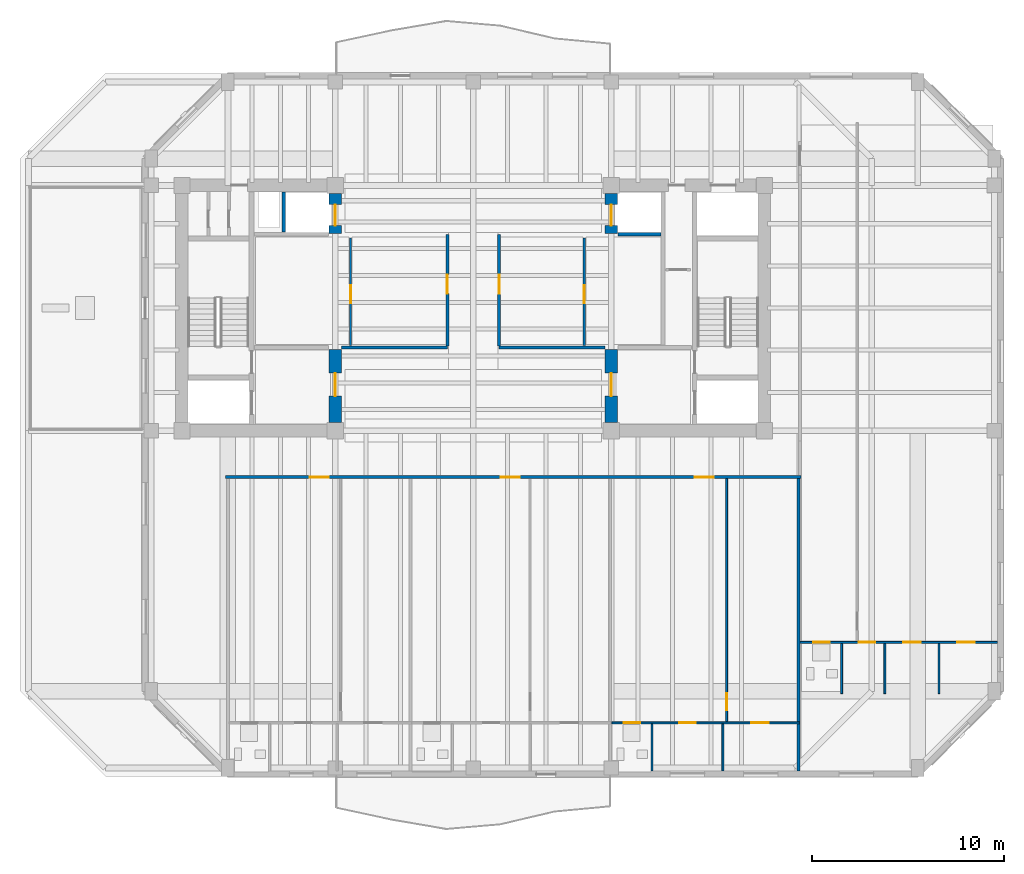
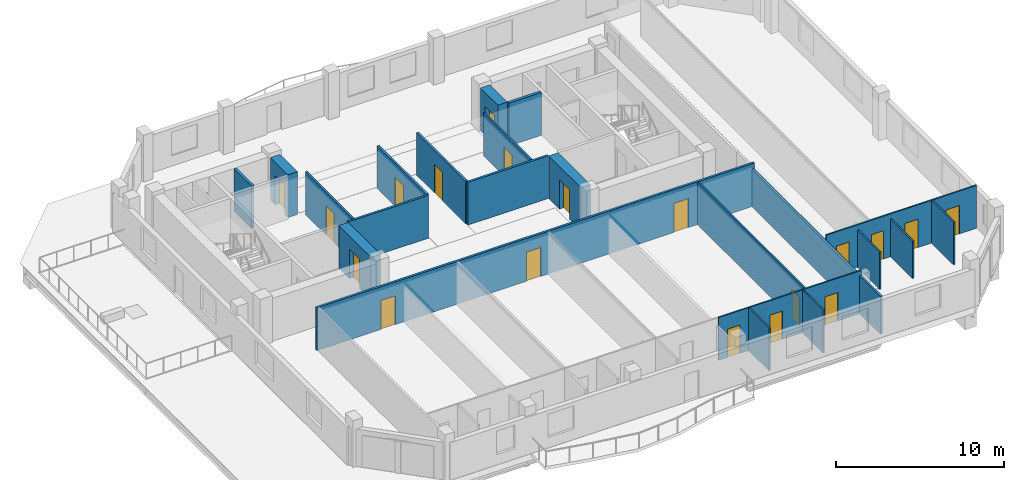
# One storey, part 4 of 11: 22 walls, 19 doors, 19 openings.
"""IFC4 building model written with IfcOpenShell, lengths in metres."""

from ifc_helpers import new_model, si_unit, direction, frame, frame_2d, origin, place, context, subcontext, project, spatial, rectangle, extrude, material, layer, layer_set, type_object, element, fill, save


model = new_model("IFC4")

# Units and contexts
model_context = context("Model", 3, precision=1e-05, world=origin(), true_north=direction((0.0, 1.0)))
body_context = subcontext(model_context, "Body", "Model", "MODEL_VIEW")
ifc_project = project(units=[si_unit("LENGTHUNIT", "METRE"), si_unit("AREAUNIT", "SQUARE_METRE"), si_unit("VOLUMEUNIT", "CUBIC_METRE"), si_unit("PLANEANGLEUNIT", "RADIAN"), si_unit("MASSUNIT", "GRAM", prefix="KILO")], contexts=[model_context])

# Site, building, storey
site_placement = place(None, origin())
site = spatial("IfcSite", under=ifc_project, at=site_placement, CompositionType="ELEMENT")
building_placement = place(site_placement, origin())
building = spatial("IfcBuilding", under=site, at=building_placement, Name="Kranthara Brick Stack", CompositionType="ELEMENT")
storey_placement = place(building_placement, frame((0.0, 0.0, 227.89990234375)))
storey = spatial("IfcBuildingStorey", under=building, at=storey_placement, Name="L59", CompositionType="ELEMENT", Elevation=227.89990234375)

# Wall, opening, door
ifc_material_1 = material(Name="Concrete C60/75", Category="concrete")
ifc_layer_1 = layer(ifc_material_1, 0.64990234375)
ifc_layer_set_1 = layer_set([ifc_layer_1], Name="Concrete C60/75")
wall_type_1 = type_object("IfcWallType", Name="WL-CORE-650", PredefinedType="SHEAR", material=ifc_layer_set_1)
wall_1_placement = place(storey_placement, frame((20.800048828125, 21.22998046875, 0.0), z_axis=(0.0, 0.0, 1.0), x_axis=(0.0, 1.0, 0.0)))
wall_1 = element("IfcWall", 1, at=wall_1_placement, inside=storey, type_object=wall_type_1, Name="L59 West Core Lobby Shear Wall", PredefinedType="SHEAR", context=body_context, shape_type="SweptSolid", body=[
    extrude(rectangle(XDim=3.820068359375, YDim=0.64990234375, at=frame_2d((1.91015625, 0.0))), origin(), (0.0, 0.0, 1.0), 3.10009765625),
])
opening_1_placement = place(wall_1_placement, frame((1.3701171875, 0.0, 0.0)))
opening_1 = element("IfcOpeningElement", 2, at=opening_1_placement, cuts=wall_1, Name="Opening D06", PredefinedType="OPENING", context=body_context, shape_type="SweptSolid", body=[
    extrude(rectangle(XDim=1.199951171875, YDim=2.14990234375, at=frame_2d((0.60009765625, 1.074951171875))), frame((0.0, 0.3349609375, 0.0), z_axis=(0.0, -1.0, 0.0), x_axis=(1.0, 0.0, 0.0)), (0.0, 0.0, 1.0), 0.669921875),
])
ifc_material_2 = material(Name="Solid-core hardwood timber leaf in steel frame", Category="steel")
door_type_1 = type_object("IfcDoorType", Name="DR-FFL-1200", OperationType="NOTDEFINED", PredefinedType="DOOR", material=ifc_material_2)
door_1_placement = place(opening_1_placement, origin())
door_1 = element("IfcDoor", 3, at=door_1_placement, inside=storey, type_object=door_type_1, Name="L59 West Firefighting Lobby Door", OperationType="SINGLE_SWING_LEFT", OverallHeight=2.14990234375, OverallWidth=1.199951171875, PredefinedType="DOOR", context=body_context, shape_type="SweptSolid", body=[
    extrude(rectangle(XDim=1.199951171875, YDim=2.14990234375, at=frame_2d((0.60009765625, 1.074951171875))), frame((0.0, 0.02490234375, 0.0), z_axis=(0.0, -1.0, 0.0), x_axis=(1.0, 0.0, 0.0)), (0.0, 0.0, 1.0), 0.050048828125),
])
fill(opening_1, door_1)

wall_2_placement = place(storey_placement, frame((20.800048828125, 31.10009765625, 0.0), z_axis=(0.0, 0.0, 1.0), x_axis=(0.0, 1.0, 0.0)))
wall_2 = element("IfcWall", 4, at=wall_2_placement, inside=storey, type_object=wall_type_1, Name="L59 West Core High-Rise Lift Wall", PredefinedType="SHEAR", context=body_context, shape_type="SweptSolid", body=[
    extrude(rectangle(XDim=2.06982421875, YDim=0.64990234375, at=frame_2d((1.034912109375, 0.0))), origin(), (0.0, 0.0, 1.0), 3.10009765625),
])
opening_2_placement = place(wall_2_placement, frame((0.39990234375, 0.0, 0.0)))
opening_2 = element("IfcOpeningElement", 5, at=opening_2_placement, cuts=wall_2, Name="Opening LD02", PredefinedType="OPENING", context=body_context, shape_type="SweptSolid", body=[
    extrude(rectangle(XDim=1.10009765625, YDim=2.10009765625, at=frame_2d((0.550048828125, 1.050048828125))), frame((0.0, 0.3349609375, 0.0), z_axis=(0.0, -1.0, 0.0), x_axis=(1.0, 0.0, 0.0)), (0.0, 0.0, 1.0), 0.669921875),
])
ifc_material_3 = material(Name="Stainless steel sliding landing door", Category="steel")
door_type_2 = type_object("IfcDoorType", Name="DR-LD-PL1100", OperationType="DOUBLE_DOOR_SLIDING", PredefinedType="DOOR", material=ifc_material_3)
door_2_placement = place(opening_2_placement, origin())
door_2 = element("IfcDoor", 6, at=door_2_placement, inside=storey, type_object=door_type_2, Name="L59 PL-07 Lift Landing Door", OperationType="DOUBLE_DOOR_SLIDING", OverallHeight=2.10009765625, OverallWidth=1.10009765625, PredefinedType="DOOR", context=body_context, shape_type="SweptSolid", body=[
    extrude(rectangle(XDim=1.10009765625, YDim=2.10009765625, at=frame_2d((0.550048828125, 1.050048828125))), frame((0.0, 0.02490234375, 0.0), z_axis=(0.0, -1.0, 0.0), x_axis=(1.0, 0.0, 0.0)), (0.0, 0.0, 1.0), 0.050048828125),
])
fill(opening_2, door_2)

wall_3_placement = place(storey_placement, frame((35.199951171875, 21.22998046875, 0.0), z_axis=(0.0, 0.0, 1.0), x_axis=(0.0, 1.0, 0.0)))
wall_3 = element("IfcWall", 7, at=wall_3_placement, inside=storey, type_object=wall_type_1, Name="L59 East Core Lobby Shear Wall", PredefinedType="SHEAR", context=body_context, shape_type="SweptSolid", body=[
    extrude(rectangle(XDim=3.820068359375, YDim=0.64990234375, at=frame_2d((1.91015625, 0.0))), origin(), (0.0, 0.0, 1.0), 3.10009765625),
])
opening_3_placement = place(wall_3_placement, frame((1.3701171875, 0.0, 0.0)))
opening_3 = element("IfcOpeningElement", 8, at=opening_3_placement, cuts=wall_3, Name="Opening D06", PredefinedType="OPENING", context=body_context, shape_type="SweptSolid", body=[
    extrude(rectangle(XDim=1.199951171875, YDim=2.14990234375, at=frame_2d((0.60009765625, 1.074951171875))), frame((0.0, 0.3349609375, 0.0), z_axis=(0.0, -1.0, 0.0), x_axis=(1.0, 0.0, 0.0)), (0.0, 0.0, 1.0), 0.669921875),
])
door_3_placement = place(opening_3_placement, origin())
door_3 = element("IfcDoor", 9, at=door_3_placement, inside=storey, type_object=door_type_1, Name="L59 East Firefighting Lobby Door", OperationType="SINGLE_SWING_RIGHT", OverallHeight=2.14990234375, OverallWidth=1.199951171875, PredefinedType="DOOR", context=body_context, shape_type="SweptSolid", body=[
    extrude(rectangle(XDim=1.199951171875, YDim=2.14990234375, at=frame_2d((0.60009765625, 1.074951171875))), frame((0.0, 0.02490234375, 0.0), z_axis=(0.0, -1.0, 0.0), x_axis=(1.0, 0.0, 0.0)), (0.0, 0.0, 1.0), 0.050048828125),
])
fill(opening_3, door_3)

wall_4_placement = place(storey_placement, frame((35.199951171875, 31.10009765625, 0.0), z_axis=(0.0, 0.0, 1.0), x_axis=(0.0, 1.0, 0.0)))
wall_4 = element("IfcWall", 10, at=wall_4_placement, inside=storey, type_object=wall_type_1, Name="L59 East Core High-Rise Lift Wall", PredefinedType="SHEAR", context=body_context, shape_type="SweptSolid", body=[
    extrude(rectangle(XDim=2.06982421875, YDim=0.64990234375, at=frame_2d((1.034912109375, 0.0))), origin(), (0.0, 0.0, 1.0), 3.10009765625),
])
opening_4_placement = place(wall_4_placement, frame((0.39990234375, 0.0, 0.0)))
opening_4 = element("IfcOpeningElement", 11, at=opening_4_placement, cuts=wall_4, Name="Opening LD02", PredefinedType="OPENING", context=body_context, shape_type="SweptSolid", body=[
    extrude(rectangle(XDim=1.10009765625, YDim=2.10009765625, at=frame_2d((0.550048828125, 1.050048828125))), frame((0.0, 0.3349609375, 0.0), z_axis=(0.0, -1.0, 0.0), x_axis=(1.0, 0.0, 0.0)), (0.0, 0.0, 1.0), 0.669921875),
])
door_4_placement = place(opening_4_placement, origin())
door_4 = element("IfcDoor", 12, at=door_4_placement, inside=storey, type_object=door_type_2, Name="L59 PL-08 Lift Landing Door", OperationType="DOUBLE_DOOR_SLIDING", OverallHeight=2.10009765625, OverallWidth=1.10009765625, PredefinedType="DOOR", context=body_context, shape_type="SweptSolid", body=[
    extrude(rectangle(XDim=1.10009765625, YDim=2.10009765625, at=frame_2d((0.550048828125, 1.050048828125))), frame((0.0, 0.02490234375, 0.0), z_axis=(0.0, -1.0, 0.0), x_axis=(1.0, 0.0, 0.0)), (0.0, 0.0, 1.0), 0.050048828125),
])
fill(opening_4, door_4)

# Wall, openings, doors
ifc_material_4 = material(Name="Moisture-resistant wet-room partition", Category="other")
ifc_layer_2 = layer(ifc_material_4, 0.10009765625)
ifc_layer_set_2 = layer_set([ifc_layer_2], Name="Moisture-resistant wet-room partition")
wall_type_2 = type_object("IfcWallType", Name="WL-PART-100", PredefinedType="PARTITIONING", material=ifc_layer_set_2)
wall_5_placement = place(storey_placement, frame((35.23291015625, 5.550048828125, 0.0), z_axis=(0.0, 0.0, 1.0), x_axis=(1.0, 0.0, 0.0)))
wall_5 = element("IfcWall", 13, at=wall_5_placement, inside=storey, type_object=wall_type_2, Name="L59 Interior Partition 022", PredefinedType="PARTITIONING", context=body_context, shape_type="SweptSolid", body=[
    extrude(rectangle(XDim=9.787109375, YDim=0.10009765625, at=frame_2d((4.8935546875, 0.0))), origin(), (0.0, 0.0, 1.0), 3.10009765625),
])
opening_5_placement = place(wall_5_placement, frame((0.625, 0.0, 0.0)))
opening_5 = element("IfcOpeningElement", 14, at=opening_5_placement, cuts=wall_5, Name="Opening D17", PredefinedType="OPENING", context=body_context, shape_type="SweptSolid", body=[
    extrude(rectangle(XDim=0.85009765625, YDim=2.050048828125, at=frame_2d((0.425048828125, 1.02490234375))), frame((0.0, 0.06005859375, 0.0), z_axis=(0.0, -1.0, 0.0), x_axis=(1.0, 0.0, 0.0)), (0.0, 0.0, 1.0), 0.1201171875),
])
opening_6_placement = place(wall_5_placement, frame((3.52490234375, 0.0, 0.0)))
opening_6 = element("IfcOpeningElement", 15, at=opening_6_placement, cuts=wall_5, Name="Opening D16", PredefinedType="OPENING", context=body_context, shape_type="SweptSolid", body=[
    extrude(rectangle(XDim=0.85009765625, YDim=2.050048828125, at=frame_2d((0.425048828125, 1.02490234375))), frame((0.0, 0.06005859375, 0.0), z_axis=(0.0, -1.0, 0.0), x_axis=(1.0, 0.0, 0.0)), (0.0, 0.0, 1.0), 0.1201171875),
])
opening_7_placement = place(wall_5_placement, frame((7.283935546875, 0.0, 0.0)))
opening_7 = element("IfcOpeningElement", 16, at=opening_7_placement, cuts=wall_5, Name="Opening D15", PredefinedType="OPENING", context=body_context, shape_type="SweptSolid", body=[
    extrude(rectangle(XDim=0.89990234375, YDim=2.050048828125, at=frame_2d((0.449951171875, 1.02490234375))), frame((0.0, 0.06005859375, 0.0), z_axis=(0.0, -1.0, 0.0), x_axis=(1.0, 0.0, 0.0)), (0.0, 0.0, 1.0), 0.1201171875),
])
ifc_material_5 = material(Name="Solid-core hardwood timber leaf in steel frame", Category="steel")
door_type_3 = type_object("IfcDoorType", Name="DR-INT-850", OperationType="NOTDEFINED", PredefinedType="DOOR", material=ifc_material_5)
door_5_placement = place(opening_6_placement, origin())
door_5 = element("IfcDoor", 17, at=door_5_placement, inside=storey, type_object=door_type_3, Name="L59 Unit L59C Kitchen 21", OperationType="SINGLE_SWING_LEFT", OverallHeight=2.050048828125, OverallWidth=0.85009765625, PredefinedType="DOOR", context=body_context, shape_type="SweptSolid", body=[
    extrude(rectangle(XDim=0.85009765625, YDim=2.050048828125, at=frame_2d((0.425048828125, 1.02490234375))), frame((0.0, 0.02490234375, 0.0), z_axis=(0.0, -1.0, 0.0), x_axis=(1.0, 0.0, 0.0)), (0.0, 0.0, 1.0), 0.050048828125),
])
fill(opening_6, door_5)
ifc_material_6 = material(Name="Solid-core hardwood timber leaf in steel frame", Category="steel")
door_type_4 = type_object("IfcDoorType", Name="DR-INT-900", OperationType="NOTDEFINED", PredefinedType="DOOR", material=ifc_material_6)
door_6_placement = place(opening_7_placement, origin())
door_6 = element("IfcDoor", 18, at=door_6_placement, inside=storey, type_object=door_type_4, Name="L59 Unit L59C Bedroom 22", OperationType="SINGLE_SWING_RIGHT", OverallHeight=2.050048828125, OverallWidth=0.89990234375, PredefinedType="DOOR", context=body_context, shape_type="SweptSolid", body=[
    extrude(rectangle(XDim=0.89990234375, YDim=2.050048828125, at=frame_2d((0.449951171875, 1.02490234375))), frame((0.0, 0.02490234375, 0.0), z_axis=(0.0, -1.0, 0.0), x_axis=(1.0, 0.0, 0.0)), (0.0, 0.0, 1.0), 0.050048828125),
])
fill(opening_7, door_6)
ifc_material_7 = material(Name="Solid-core hardwood timber leaf in steel frame", Category="steel")
door_type_5 = type_object("IfcDoorType", Name="DR-WET-850", OperationType="NOTDEFINED", PredefinedType="DOOR", material=ifc_material_7)
door_7_placement = place(opening_5_placement, origin())
door_7 = element("IfcDoor", 19, at=door_7_placement, inside=storey, type_object=door_type_5, Name="L59 Unit L59C Bathroom 20", OperationType="SINGLE_SWING_RIGHT", OverallHeight=2.050048828125, OverallWidth=0.85009765625, PredefinedType="DOOR", context=body_context, shape_type="SweptSolid", body=[
    extrude(rectangle(XDim=0.85009765625, YDim=2.050048828125, at=frame_2d((0.425048828125, 1.02490234375))), frame((0.0, 0.02490234375, 0.0), z_axis=(0.0, -1.0, 0.0), x_axis=(1.0, 0.0, 0.0)), (0.0, 0.0, 1.0), 0.050048828125),
])
fill(opening_5, door_7)

# Wall, opening, door
wall_6_placement = place(storey_placement, frame((41.22705078125, 5.60498046875, 0.0), z_axis=(0.0, 0.0, 1.0), x_axis=(0.0, 1.0, 0.0)))
wall_6 = element("IfcWall", 20, at=wall_6_placement, inside=storey, type_object=wall_type_2, Name="L59 Interior Partition 023", PredefinedType="PARTITIONING", context=body_context, shape_type="SweptSolid", body=[
    extrude(rectangle(XDim=12.695068359375, YDim=0.10009765625, at=frame_2d((6.34765625, 0.0))), origin(), (0.0, 0.0, 1.0), 3.10009765625),
])
opening_8_placement = place(wall_6_placement, frame((0.60498046875, 0.0, 0.0)))
opening_8 = element("IfcOpeningElement", 21, at=opening_8_placement, cuts=wall_6, Name="Opening D15", PredefinedType="OPENING", context=body_context, shape_type="SweptSolid", body=[
    extrude(rectangle(XDim=0.89990234375, YDim=2.050048828125, at=frame_2d((0.449951171875, 1.02490234375))), frame((0.0, 0.06005859375, 0.0), z_axis=(0.0, -1.0, 0.0), x_axis=(1.0, 0.0, 0.0)), (0.0, 0.0, 1.0), 0.1201171875),
])
door_8_placement = place(opening_8_placement, origin())
door_8 = element("IfcDoor", 22, at=door_8_placement, inside=storey, type_object=door_type_4, Name="L59 Unit L59C Study 19", OperationType="SINGLE_SWING_LEFT", OverallHeight=2.050048828125, OverallWidth=0.89990234375, PredefinedType="DOOR", context=body_context, shape_type="SweptSolid", body=[
    extrude(rectangle(XDim=0.89990234375, YDim=2.050048828125, at=frame_2d((0.449951171875, 1.02490234375))), frame((0.0, 0.02490234375, 0.0), z_axis=(0.0, -1.0, 0.0), x_axis=(1.0, 0.0, 0.0)), (0.0, 0.0, 1.0), 0.050048828125),
])
fill(opening_8, door_8)

# Walls
for number, where, z_axis, x_axis, name in (
    (23, (37.3330078125, 3.044921875, 0.0), (0.0, 0.0, 1.0), (0.0, 1.0, 0.0), "L59 Interior Partition 024"),
    (24, (41.032958984375, 3.044921875, 0.0), (0.0, 0.0, 1.0), (0.0, 1.0, 0.0), "L59 Interior Partition 025"),
):
    element("IfcWall", number, at=place(storey_placement, frame(where, z_axis=z_axis, x_axis=x_axis)), inside=storey, type_object=wall_type_2, Name=name, PredefinedType="PARTITIONING", context=body_context, shape_type="SweptSolid", body=[
        extrude(rectangle(XDim=2.4501953125, YDim=0.10009765625, at=frame_2d((1.22509765625, 0.0))), origin(), (0.0, 0.0, 1.0), 3.10009765625),
    ])

# Wall, openings, doors
wall_7_placement = place(storey_placement, frame((45.06005859375, 9.75, 0.0), z_axis=(0.0, 0.0, 1.0), x_axis=(1.0, 0.0, 0.0)))
wall_7 = element("IfcWall", 25, at=wall_7_placement, inside=storey, type_object=wall_type_2, Name="L59 Interior Partition 032", PredefinedType="PARTITIONING", context=body_context, shape_type="SweptSolid", body=[
    extrude(rectangle(XDim=10.294921875, YDim=0.10009765625, at=frame_2d((5.1474609375, 0.0))), origin(), (0.0, 0.0, 1.0), 3.10009765625),
])
opening_9_placement = place(wall_7_placement, frame((0.697021484375, 0.0, 0.0)))
opening_9 = element("IfcOpeningElement", 26, at=opening_9_placement, cuts=wall_7, Name="Opening D17", PredefinedType="OPENING", context=body_context, shape_type="SweptSolid", body=[
    extrude(rectangle(XDim=0.85009765625, YDim=2.050048828125, at=frame_2d((0.425048828125, 1.02490234375))), frame((0.0, 0.06005859375, 0.0), z_axis=(0.0, -1.0, 0.0), x_axis=(1.0, 0.0, 0.0)), (0.0, 0.0, 1.0), 0.1201171875),
])
opening_10_placement = place(wall_7_placement, frame((3.068115234375, 0.0, 0.0)))
opening_10 = element("IfcOpeningElement", 27, at=opening_10_placement, cuts=wall_7, Name="Opening D16", PredefinedType="OPENING", context=body_context, shape_type="SweptSolid", body=[
    extrude(rectangle(XDim=0.85009765625, YDim=2.050048828125, at=frame_2d((0.425048828125, 1.02490234375))), frame((0.0, 0.06005859375, 0.0), z_axis=(0.0, -1.0, 0.0), x_axis=(1.0, 0.0, 0.0)), (0.0, 0.0, 1.0), 0.1201171875),
])
opening_11_placement = place(wall_7_placement, frame((5.384033203125, 0.0, 0.0)))
opening_11 = element("IfcOpeningElement", 28, at=opening_11_placement, cuts=wall_7, Name="Opening D15", PredefinedType="OPENING", context=body_context, shape_type="SweptSolid", body=[
    extrude(rectangle(XDim=0.89990234375, YDim=2.050048828125, at=frame_2d((0.449951171875, 1.02490234375))), frame((0.0, 0.06005859375, 0.0), z_axis=(0.0, -1.0, 0.0), x_axis=(1.0, 0.0, 0.0)), (0.0, 0.0, 1.0), 0.1201171875),
])
opening_12_placement = place(wall_7_placement, frame((8.2080078125, 0.0, 0.0)))
opening_12 = element("IfcOpeningElement", 29, at=opening_12_placement, cuts=wall_7, Name="Opening D15", PredefinedType="OPENING", context=body_context, shape_type="SweptSolid", body=[
    extrude(rectangle(XDim=0.89990234375, YDim=2.050048828125, at=frame_2d((0.449951171875, 1.02490234375))), frame((0.0, 0.06005859375, 0.0), z_axis=(0.0, -1.0, 0.0), x_axis=(1.0, 0.0, 0.0)), (0.0, 0.0, 1.0), 0.1201171875),
])
door_9_placement = place(opening_10_placement, origin())
door_9 = element("IfcDoor", 30, at=door_9_placement, inside=storey, type_object=door_type_3, Name="L59 Unit L59D Kitchen 26", OperationType="SINGLE_SWING_RIGHT", OverallHeight=2.050048828125, OverallWidth=0.85009765625, PredefinedType="DOOR", context=body_context, shape_type="SweptSolid", body=[
    extrude(rectangle(XDim=0.85009765625, YDim=2.050048828125, at=frame_2d((0.425048828125, 1.02490234375))), frame((0.0, 0.02490234375, 0.0), z_axis=(0.0, -1.0, 0.0), x_axis=(1.0, 0.0, 0.0)), (0.0, 0.0, 1.0), 0.050048828125),
])
fill(opening_10, door_9)
door_10_placement = place(opening_11_placement, origin())
door_10 = element("IfcDoor", 31, at=door_10_placement, inside=storey, type_object=door_type_4, Name="L59 Unit L59D Master Bedroom 27", OperationType="SINGLE_SWING_LEFT", OverallHeight=2.050048828125, OverallWidth=0.89990234375, PredefinedType="DOOR", context=body_context, shape_type="SweptSolid", body=[
    extrude(rectangle(XDim=0.89990234375, YDim=2.050048828125, at=frame_2d((0.449951171875, 1.02490234375))), frame((0.0, 0.02490234375, 0.0), z_axis=(0.0, -1.0, 0.0), x_axis=(1.0, 0.0, 0.0)), (0.0, 0.0, 1.0), 0.050048828125),
])
fill(opening_11, door_10)
door_11_placement = place(opening_12_placement, origin())
door_11 = element("IfcDoor", 32, at=door_11_placement, inside=storey, type_object=door_type_4, Name="L59 Unit L59D Bedroom 2 28", OperationType="SINGLE_SWING_RIGHT", OverallHeight=2.050048828125, OverallWidth=0.89990234375, PredefinedType="DOOR", context=body_context, shape_type="SweptSolid", body=[
    extrude(rectangle(XDim=0.89990234375, YDim=2.050048828125, at=frame_2d((0.449951171875, 1.02490234375))), frame((0.0, 0.02490234375, 0.0), z_axis=(0.0, -1.0, 0.0), x_axis=(1.0, 0.0, 0.0)), (0.0, 0.0, 1.0), 0.050048828125),
])
fill(opening_12, door_11)
door_12_placement = place(opening_9_placement, origin())
door_12 = element("IfcDoor", 33, at=door_12_placement, inside=storey, type_object=door_type_5, Name="L59 Unit L59D Bathroom 25", OperationType="SINGLE_SWING_LEFT", OverallHeight=2.050048828125, OverallWidth=0.85009765625, PredefinedType="DOOR", context=body_context, shape_type="SweptSolid", body=[
    extrude(rectangle(XDim=0.85009765625, YDim=2.050048828125, at=frame_2d((0.425048828125, 1.02490234375))), frame((0.0, 0.02490234375, 0.0), z_axis=(0.0, -1.0, 0.0), x_axis=(1.0, 0.0, 0.0)), (0.0, 0.0, 1.0), 0.050048828125),
])
fill(opening_9, door_12)

# Walls
for number, where, z_axis, x_axis, name in (
    (34, (47.22412109375, 7.080078125, 0.0), (0.0, 0.0, 1.0), (0.0, 1.0, 0.0), "L59 Interior Partition 034"),
    (35, (49.48193359375, 7.080078125, 0.0), (0.0, 0.0, 1.0), (0.0, 1.0, 0.0), "L59 Interior Partition 035"),
):
    element("IfcWall", number, at=place(storey_placement, frame(where, z_axis=z_axis, x_axis=x_axis)), inside=storey, type_object=wall_type_2, Name=name, PredefinedType="PARTITIONING", context=body_context, shape_type="SweptSolid", body=[
        extrude(rectangle(XDim=2.614990234375, YDim=0.10009765625, at=frame_2d((1.3076171875, 0.0))), origin(), (0.0, 0.0, 1.0), 2.72509765625),
    ])
wall_8_placement = place(storey_placement, frame((52.305908203125, 7.080078125, 0.0), z_axis=(0.0, 0.0, 1.0), x_axis=(0.0, 1.0, 0.0)))
element("IfcWall", 36, at=wall_8_placement, inside=storey, type_object=wall_type_2, Name="L59 Interior Partition 036", PredefinedType="PARTITIONING", context=body_context, shape_type="SweptSolid", body=[
    extrude(rectangle(XDim=2.614990234375, YDim=0.10009765625, at=frame_2d((1.3076171875, 0.0))), origin(), (0.0, 0.0, 1.0), 3.10009765625),
])

# Wall, opening, door
ifc_material_8 = material(Name="Acoustic gypsum plasterboard partition", Category="other")
ifc_layer_3 = layer(ifc_material_8, 0.1201171875)
ifc_layer_set_3 = layer_set([ifc_layer_3], Name="Acoustic gypsum plasterboard partition")
wall_type_3 = type_object("IfcWallType", Name="WL-PART-120", PredefinedType="PARTITIONING", material=ifc_layer_set_3)
wall_9_placement = place(storey_placement, frame((21.60009765625, 25.25, 0.0), z_axis=(0.0, 0.0, 1.0), x_axis=(0.0, 1.0, 0.0)))
wall_9 = element("IfcWall", 37, at=wall_9_placement, inside=storey, type_object=wall_type_3, Name="L59 Interior Partition 007", PredefinedType="PARTITIONING", context=body_context, shape_type="SweptSolid", body=[
    extrude(rectangle(XDim=5.60009765625, YDim=0.1201171875, at=frame_2d((2.800048828125, 0.0))), origin(), (0.0, 0.0, 1.0), 3.10009765625),
])
opening_13_placement = place(wall_9_placement, frame((2.199951171875, 0.0, 0.0)))
opening_13 = element("IfcOpeningElement", 38, at=opening_13_placement, cuts=wall_9, Name="Opening D14", PredefinedType="OPENING", context=body_context, shape_type="SweptSolid", body=[
    extrude(rectangle(XDim=0.949951171875, YDim=2.10009765625, at=frame_2d((0.47509765625, 1.050048828125))), frame((0.0, 0.070068359375, 0.0), z_axis=(0.0, -1.0, 0.0), x_axis=(1.0, 0.0, 0.0)), (0.0, 0.0, 1.0), 0.14013671875),
])
ifc_material_9 = material(Name="Solid-core hardwood timber leaf in steel frame", Category="steel")
door_type_6 = type_object("IfcDoorType", Name="DR-INT-950", OperationType="NOTDEFINED", PredefinedType="DOOR", material=ifc_material_9)
door_13_placement = place(opening_13_placement, origin())
door_13 = element("IfcDoor", 39, at=door_13_placement, inside=storey, type_object=door_type_6, Name="L59 Inner Archive Door 04", OperationType="SINGLE_SWING_RIGHT", OverallHeight=2.10009765625, OverallWidth=0.949951171875, PredefinedType="DOOR", context=body_context, shape_type="SweptSolid", body=[
    extrude(rectangle(XDim=0.949951171875, YDim=2.10009765625, at=frame_2d((0.47509765625, 1.050048828125))), frame((0.0, 0.02490234375, 0.0), z_axis=(0.0, -1.0, 0.0), x_axis=(1.0, 0.0, 0.0)), (0.0, 0.0, 1.0), 0.050048828125),
])
fill(opening_13, door_13)

wall_10_placement = place(storey_placement, frame((33.800048828125, 25.25, 0.0), z_axis=(0.0, 0.0, 1.0), x_axis=(0.0, 1.0, 0.0)))
wall_10 = element("IfcWall", 40, at=wall_10_placement, inside=storey, type_object=wall_type_3, Name="L59 Interior Partition 009", PredefinedType="PARTITIONING", context=body_context, shape_type="SweptSolid", body=[
    extrude(rectangle(XDim=5.60009765625, YDim=0.1201171875, at=frame_2d((2.800048828125, 0.0))), origin(), (0.0, 0.0, 1.0), 3.10009765625),
])
opening_14_placement = place(wall_10_placement, frame((2.199951171875, 0.0, 0.0)))
opening_14 = element("IfcOpeningElement", 41, at=opening_14_placement, cuts=wall_10, Name="Opening D14", PredefinedType="OPENING", context=body_context, shape_type="SweptSolid", body=[
    extrude(rectangle(XDim=0.949951171875, YDim=2.10009765625, at=frame_2d((0.47509765625, 1.050048828125))), frame((0.0, 0.070068359375, 0.0), z_axis=(0.0, -1.0, 0.0), x_axis=(1.0, 0.0, 0.0)), (0.0, 0.0, 1.0), 0.14013671875),
])
door_14_placement = place(opening_14_placement, origin())
door_14 = element("IfcDoor", 42, at=door_14_placement, inside=storey, type_object=door_type_6, Name="L59 Wine Tasting Door 06", OperationType="SINGLE_SWING_RIGHT", OverallHeight=2.10009765625, OverallWidth=0.949951171875, PredefinedType="DOOR", context=body_context, shape_type="SweptSolid", body=[
    extrude(rectangle(XDim=0.949951171875, YDim=2.10009765625, at=frame_2d((0.47509765625, 1.050048828125))), frame((0.0, 0.02490234375, 0.0), z_axis=(0.0, -1.0, 0.0), x_axis=(1.0, 0.0, 0.0)), (0.0, 0.0, 1.0), 0.050048828125),
])
fill(opening_14, door_14)

# Walls
ifc_material_10 = material(Name="Fire-rated gypsum board partition", Category="other")
ifc_layer_4 = layer(ifc_material_10, 0.14990234375)
ifc_layer_set_4 = layer_set([ifc_layer_4], Name="Fire-rated gypsum board partition")
wall_type_4 = type_object("IfcWallType", Name="WL-PART-150", PredefinedType="PARTITIONING", material=ifc_layer_set_4)
for number, where, z_axis, x_axis, name in (
    (43, (21.1298828125, 25.14990234375, 0.0), (0.0, 0.0, 1.0), (1.0, 0.0, 0.0), "L59 Interior Partition 004"),
    (44, (29.35009765625, 25.14990234375, 0.0), (0.0, 0.0, 1.0), (1.0, 0.0, 0.0), "L59 Interior Partition 005"),
):
    element("IfcWall", number, at=place(storey_placement, frame(where, z_axis=z_axis, x_axis=x_axis)), inside=storey, type_object=wall_type_4, Name=name, PredefinedType="PARTITIONING", context=body_context, shape_type="SweptSolid", body=[
        extrude(rectangle(XDim=5.52001953125, YDim=0.14990234375, at=frame_2d((2.760009765625, 0.0))), origin(), (0.0, 0.0, 1.0), 3.10009765625),
    ])

# Wall, opening, door
wall_11_placement = place(storey_placement, frame((26.64990234375, 25.22998046875, 0.0), z_axis=(0.0, 0.0, 1.0), x_axis=(0.0, 1.0, 0.0)))
wall_11 = element("IfcWall", 45, at=wall_11_placement, inside=storey, type_object=wall_type_4, Name="L59 Interior Partition 006", PredefinedType="PARTITIONING", context=body_context, shape_type="SweptSolid", body=[
    extrude(rectangle(XDim=5.820068359375, YDim=0.14990234375, at=frame_2d((2.91015625, 0.0))), origin(), (0.0, 0.0, 1.0), 3.10009765625),
])
opening_15_placement = place(wall_11_placement, frame((2.719970703125, 0.0, 0.0)))
opening_15 = element("IfcOpeningElement", 46, at=opening_15_placement, cuts=wall_11, Name="Opening D08", PredefinedType="OPENING", context=body_context, shape_type="SweptSolid", body=[
    extrude(rectangle(XDim=1.0, YDim=2.10009765625, at=frame_2d((0.5, 1.050048828125))), frame((0.0, 0.0849609375, 0.0), z_axis=(0.0, -1.0, 0.0), x_axis=(1.0, 0.0, 0.0)), (0.0, 0.0, 1.0), 0.169921875),
])
ifc_material_11 = material(Name="Solid-core hardwood timber leaf in steel frame", Category="steel")
door_type_7 = type_object("IfcDoorType", Name="DR-FD-1000", OperationType="NOTDEFINED", PredefinedType="DOOR", material=ifc_material_11)
door_15_placement = place(opening_15_placement, origin())
door_15 = element("IfcDoor", 47, at=door_15_placement, inside=storey, type_object=door_type_7, Name="L59 Residents Gallery 05", OperationType="SINGLE_SWING_LEFT", OverallHeight=2.10009765625, OverallWidth=1.0, PredefinedType="DOOR", context=body_context, shape_type="SweptSolid", body=[
    extrude(rectangle(XDim=1.0, YDim=2.10009765625, at=frame_2d((0.5, 1.050048828125))), frame((0.0, 0.02490234375, 0.0), z_axis=(0.0, -1.0, 0.0), x_axis=(1.0, 0.0, 0.0)), (0.0, 0.0, 1.0), 0.050048828125),
])
fill(opening_15, door_15)

wall_12_placement = place(storey_placement, frame((29.35009765625, 25.22998046875, 0.0), z_axis=(0.0, 0.0, 1.0), x_axis=(0.0, 1.0, 0.0)))
wall_12 = element("IfcWall", 48, at=wall_12_placement, inside=storey, type_object=wall_type_4, Name="L59 Interior Partition 008", PredefinedType="PARTITIONING", context=body_context, shape_type="SweptSolid", body=[
    extrude(rectangle(XDim=5.820068359375, YDim=0.14990234375, at=frame_2d((2.91015625, 0.0))), origin(), (0.0, 0.0, 1.0), 3.10009765625),
])
opening_16_placement = place(wall_12_placement, frame((2.719970703125, 0.0, 0.0)))
opening_16 = element("IfcOpeningElement", 49, at=opening_16_placement, cuts=wall_12, Name="Opening D08", PredefinedType="OPENING", context=body_context, shape_type="SweptSolid", body=[
    extrude(rectangle(XDim=1.0, YDim=2.10009765625, at=frame_2d((0.5, 1.050048828125))), frame((0.0, 0.0849609375, 0.0), z_axis=(0.0, -1.0, 0.0), x_axis=(1.0, 0.0, 0.0)), (0.0, 0.0, 1.0), 0.169921875),
])
door_16_placement = place(opening_16_placement, origin())
door_16 = element("IfcDoor", 50, at=door_16_placement, inside=storey, type_object=door_type_7, Name="L59 Sky Salon 07", OperationType="SINGLE_SWING_LEFT", OverallHeight=2.10009765625, OverallWidth=1.0, PredefinedType="DOOR", context=body_context, shape_type="SweptSolid", body=[
    extrude(rectangle(XDim=1.0, YDim=2.10009765625, at=frame_2d((0.5, 1.050048828125))), frame((0.0, 0.02490234375, 0.0), z_axis=(0.0, -1.0, 0.0), x_axis=(1.0, 0.0, 0.0)), (0.0, 0.0, 1.0), 0.050048828125),
])
fill(opening_16, door_16)

# Wall, openings, doors
wall_13_placement = place(storey_placement, frame((15.080078125, 18.3798828125, 0.0), z_axis=(0.0, 0.0, 1.0), x_axis=(1.0, 0.0, 0.0)))
wall_13 = element("IfcWall", 51, at=wall_13_placement, inside=storey, type_object=wall_type_4, Name="L59 Interior Partition 010", PredefinedType="PARTITIONING", context=body_context, shape_type="SweptSolid", body=[
    extrude(rectangle(XDim=30.02001953125, YDim=0.14990234375, at=frame_2d((15.010009765625, 0.0))), origin(), (0.0, 0.0, 1.0), 3.10009765625),
])
opening_17_placement = place(wall_13_placement, frame((4.385009765625, 0.0, 0.0)))
opening_17 = element("IfcOpeningElement", 52, at=opening_17_placement, cuts=wall_13, Name="Opening D08", PredefinedType="OPENING", context=body_context, shape_type="SweptSolid", body=[
    extrude(rectangle(XDim=1.0, YDim=2.10009765625, at=frame_2d((0.5, 1.050048828125))), frame((0.0, 0.0849609375, 0.0), z_axis=(0.0, -1.0, 0.0), x_axis=(1.0, 0.0, 0.0)), (0.0, 0.0, 1.0), 0.169921875),
])
opening_18_placement = place(wall_13_placement, frame((14.361083984375, 0.0, 0.0)))
opening_18 = element("IfcOpeningElement", 53, at=opening_18_placement, cuts=wall_13, Name="Opening D08", PredefinedType="OPENING", context=body_context, shape_type="SweptSolid", body=[
    extrude(rectangle(XDim=1.0, YDim=2.10009765625, at=frame_2d((0.5, 1.050048828125))), frame((0.0, 0.0849609375, 0.0), z_axis=(0.0, -1.0, 0.0), x_axis=(1.0, 0.0, 0.0)), (0.0, 0.0, 1.0), 0.169921875),
])
opening_19_placement = place(wall_13_placement, frame((24.486083984375, 0.0, 0.0)))
opening_19 = element("IfcOpeningElement", 54, at=opening_19_placement, cuts=wall_13, Name="Opening D08", PredefinedType="OPENING", context=body_context, shape_type="SweptSolid", body=[
    extrude(rectangle(XDim=1.0, YDim=2.10009765625, at=frame_2d((0.5, 1.050048828125))), frame((0.0, 0.0849609375, 0.0), z_axis=(0.0, -1.0, 0.0), x_axis=(1.0, 0.0, 0.0)), (0.0, 0.0, 1.0), 0.169921875),
])
door_17_placement = place(opening_17_placement, origin())
door_17 = element("IfcDoor", 55, at=door_17_placement, inside=storey, type_object=door_type_7, Name="L59 Unit L59A Entrance 08", OperationType="SINGLE_SWING_RIGHT", OverallHeight=2.10009765625, OverallWidth=1.0, PredefinedType="DOOR", context=body_context, shape_type="SweptSolid", body=[
    extrude(rectangle(XDim=1.0, YDim=2.10009765625, at=frame_2d((0.5, 1.050048828125))), frame((0.0, 0.02490234375, 0.0), z_axis=(0.0, -1.0, 0.0), x_axis=(1.0, 0.0, 0.0)), (0.0, 0.0, 1.0), 0.050048828125),
])
fill(opening_17, door_17)
door_18_placement = place(opening_18_placement, origin())
door_18 = element("IfcDoor", 56, at=door_18_placement, inside=storey, type_object=door_type_7, Name="L59 Unit L59B Entrance 13", OperationType="SINGLE_SWING_LEFT", OverallHeight=2.10009765625, OverallWidth=1.0, PredefinedType="DOOR", context=body_context, shape_type="SweptSolid", body=[
    extrude(rectangle(XDim=1.0, YDim=2.10009765625, at=frame_2d((0.5, 1.050048828125))), frame((0.0, 0.02490234375, 0.0), z_axis=(0.0, -1.0, 0.0), x_axis=(1.0, 0.0, 0.0)), (0.0, 0.0, 1.0), 0.050048828125),
])
fill(opening_18, door_18)
door_19_placement = place(opening_19_placement, origin())
door_19 = element("IfcDoor", 57, at=door_19_placement, inside=storey, type_object=door_type_7, Name="L59 Unit L59C Entrance 18", OperationType="SINGLE_SWING_RIGHT", OverallHeight=2.10009765625, OverallWidth=1.0, PredefinedType="DOOR", context=body_context, shape_type="SweptSolid", body=[
    extrude(rectangle(XDim=1.0, YDim=2.10009765625, at=frame_2d((0.5, 1.050048828125))), frame((0.0, 0.02490234375, 0.0), z_axis=(0.0, -1.0, 0.0), x_axis=(1.0, 0.0, 0.0)), (0.0, 0.0, 1.0), 0.050048828125),
])
fill(opening_19, door_19)

# Walls
wall_14_placement = place(storey_placement, frame((44.97998046875, 3.044921875, 0.0), z_axis=(0.0, 0.0, 1.0), x_axis=(0.0, 1.0, 0.0)))
element("IfcWall", 58, at=wall_14_placement, inside=storey, type_object=wall_type_4, Name="L59 Interior Partition 026", PredefinedType="PARTITIONING", context=body_context, shape_type="SweptSolid", body=[
    extrude(rectangle(XDim=15.255126953125, YDim=0.14990234375, at=frame_2d((7.62744140625, 0.0))), origin(), (0.0, 0.0, 1.0), 2.72509765625),
])
ifc_material_12 = material(Name="Gypsum plasterboard on acoustic twin stud", Category="other")
ifc_layer_5 = layer(ifc_material_12, 0.179931640625)
ifc_layer_set_5 = layer_set([ifc_layer_5], Name="Gypsum plasterboard on acoustic twin stud")
wall_type_5 = type_object("IfcWallType", Name="WL-PART-180", PredefinedType="PARTITIONING", material=ifc_layer_set_5)
wall_15_placement = place(storey_placement, frame((18.1201171875, 31.169921875, 0.0), z_axis=(0.0, 0.0, 1.0), x_axis=(0.0, 1.0, 0.0)))
element("IfcWall", 59, at=wall_15_placement, inside=storey, type_object=wall_type_5, Name="L59 PL-07 Shaft Back Wall", PredefinedType="PARTITIONING", context=body_context, shape_type="SweptSolid", body=[
    extrude(rectangle(XDim=2.094970703125, YDim=0.179931640625, at=frame_2d((1.04736328125, 0.0))), origin(), (0.0, 0.0, 1.0), 3.10009765625),
])
ifc_material_13 = material(Name="Concrete C40/50", Category="concrete")
ifc_layer_6 = layer(ifc_material_13, 0.199951171875)
ifc_layer_set_6 = layer_set([ifc_layer_6], Name="Concrete C40/50")
wall_type_6 = type_object("IfcWallType", Name="WL-PART-200", PredefinedType="SOLIDWALL", material=ifc_layer_set_6)
wall_16_placement = place(storey_placement, frame((35.550048828125, 31.050048828125, 0.0), z_axis=(0.0, 0.0, 1.0), x_axis=(1.0, 0.0, 0.0)))
element("IfcWall", 60, at=wall_16_placement, inside=storey, type_object=wall_type_6, Name="L59 East Core Cross Wall EE4", PredefinedType="SOLIDWALL", context=body_context, shape_type="SweptSolid", body=[
    extrude(rectangle(XDim=2.25, YDim=0.199951171875, at=frame_2d((1.125, 0.0))), origin(), (0.0, 0.0, 1.0), 3.10009765625),
])

save(model, "model.ifc")
